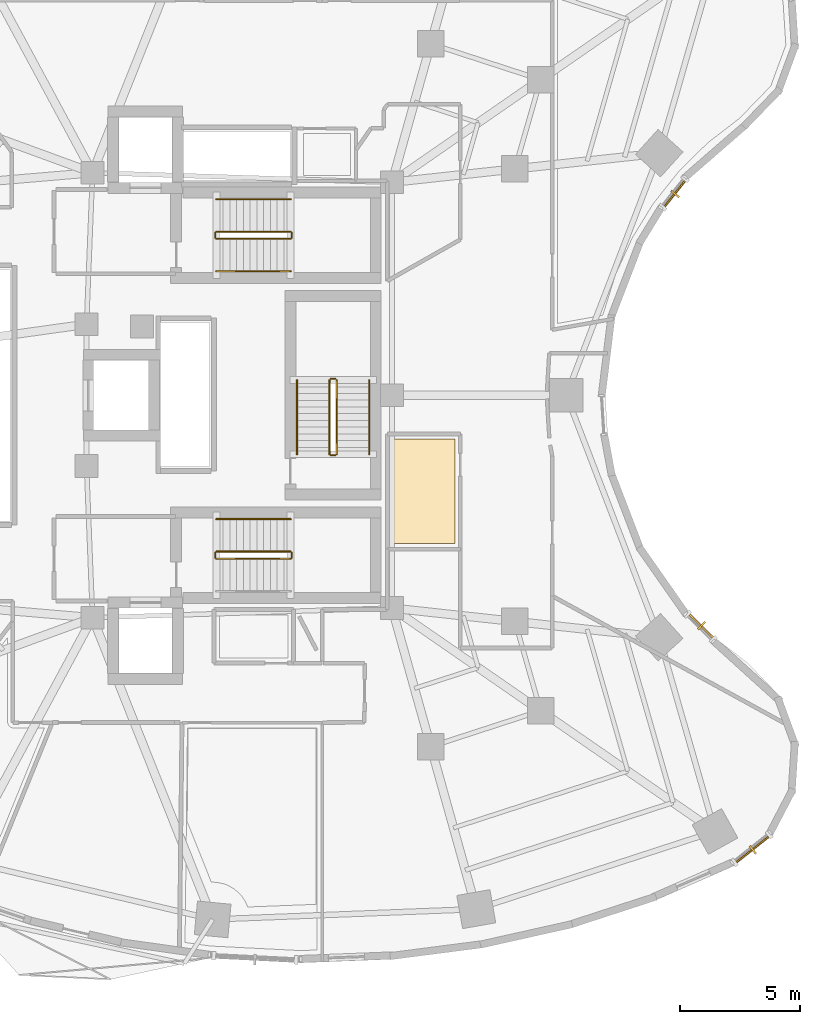
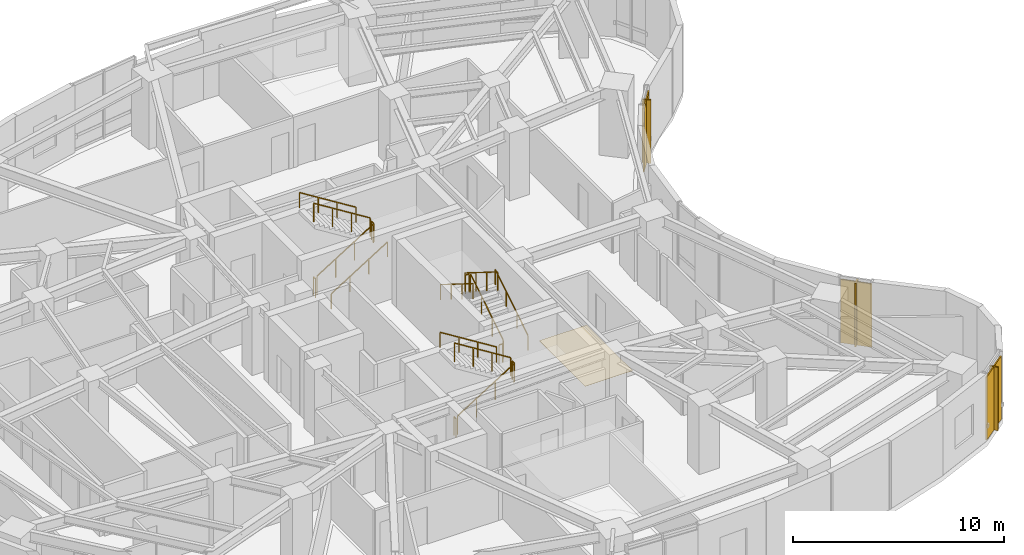
# One storey, part 14 of 15: 17 railings, 6 shading devices, 1 covering.
"""IFC4 building model written with IfcOpenShell, lengths in metres."""

from ifc_helpers import new_model, si_unit, direction, frame, origin, origin_2d, place, context, subcontext, project, spatial, polyline, rectangle, outline, extrude, material, layer, layer_set, type_object, element, save


model = new_model("IFC4")

# Units and contexts
model_context = context("Model", 3, precision=1e-05, world=origin(), true_north=direction((0.0, 1.0)))
body_context = subcontext(model_context, "Body", "Model", "MODEL_VIEW")
ifc_project = project(units=[si_unit("LENGTHUNIT", "METRE"), si_unit("AREAUNIT", "SQUARE_METRE"), si_unit("VOLUMEUNIT", "CUBIC_METRE"), si_unit("PLANEANGLEUNIT", "RADIAN"), si_unit("MASSUNIT", "GRAM", prefix="KILO")], contexts=[model_context])

# Site, building, storey
site_placement = place(None, origin())
site = spatial("IfcSite", under=ifc_project, at=site_placement, CompositionType="ELEMENT")
building_placement = place(site_placement, origin())
building = spatial("IfcBuilding", under=site, at=building_placement, Name="Korentha Bioscience Tower", CompositionType="ELEMENT")
storey_placement = place(building_placement, frame((0.0, 0.0, 38.39990234375)))
storey = spatial("IfcBuildingStorey", under=building, at=storey_placement, Name="L08", CompositionType="ELEMENT", Elevation=38.39990234375)

# Railings
ifc_material_1 = material(Name="Stainless Steel 304", Category="steel")
railing_type_1 = type_object("IfcRailingType", Name="Brushed Stainless Stair Handrail 900", PredefinedType="HANDRAIL", material=ifc_material_1)
railing_1_placement = place(storey_placement, frame((30.25, 32.14990234375, 0.175048828125)))
element("IfcRailing", 1, at=railing_1_placement, inside=storey, type_object=railing_type_1, Name="L08 ST-1 stair handrail 1", PredefinedType="HANDRAIL", context=body_context, shape_type="SweptSolid", body=[
    extrude(rectangle(XDim=0.048095703125, YDim=0.048095703125, at=origin_2d()), frame((0.0, 0.0, 0.8759765625), z_axis=(0.847998304005, 0.0, 0.529998940003), x_axis=(0.0, 1.0, 0.0)), (0.0, 0.0, 1.0), 3.632080078125),
    extrude(rectangle(XDim=0.0419921875, YDim=0.0419921875, at=origin_2d()), origin(), (0.0, 0.0, 1.0), 0.851806640625),
    extrude(rectangle(XDim=0.0419921875, YDim=0.0419921875, at=origin_2d()), frame((1.026611328125, 0.0, 0.6416015625)), (0.0, 0.0, 1.0), 0.851806640625),
    extrude(rectangle(XDim=0.0419921875, YDim=0.0419921875, at=origin_2d()), frame((2.053466796875, 0.0, 1.283447265625)), (0.0, 0.0, 1.0), 0.851806640625),
    extrude(rectangle(XDim=0.0419921875, YDim=0.0419921875, at=origin_2d()), frame((3.080078125, 0.0, 1.925048828125)), (0.0, 0.0, 1.0), 0.851806640625),
])
for number, where, name in (
    (2, (33.330078125, 35.14990234375, 2.275146484375), "L08 ST-1 stair handrail 2"),
    (3, (33.330078125, 21.85009765625, 2.275146484375), "L08 ST-2 stair handrail 2"),
):
    element("IfcRailing", number, at=place(storey_placement, frame(where)), inside=storey, type_object=railing_type_1, Name=name, PredefinedType="HANDRAIL", context=body_context, shape_type="SweptSolid", body=[
        extrude(rectangle(XDim=0.048095703125, YDim=0.048095703125, at=origin_2d()), frame((0.0, 0.0, 0.8759765625), z_axis=(-0.847998304005, 0.0, 0.529998940003), x_axis=(0.0, -1.0, 0.0)), (0.0, 0.0, 1.0), 3.632080078125),
        extrude(rectangle(XDim=0.0419921875, YDim=0.0419921875, at=origin_2d()), origin(), (0.0, 0.0, 1.0), 0.851806640625),
        extrude(rectangle(XDim=0.0419921875, YDim=0.0419921875, at=origin_2d()), frame((-1.026611328125, 0.0, 0.6416015625)), (0.0, 0.0, 1.0), 0.851806640625),
        extrude(rectangle(XDim=0.0419921875, YDim=0.0419921875, at=origin_2d()), frame((-2.053466796875, 0.0, 1.283447265625)), (0.0, 0.0, 1.0), 0.851806640625),
        extrude(rectangle(XDim=0.0419921875, YDim=0.0419921875, at=origin_2d()), frame((-3.080078125, 0.0, 1.925048828125)), (0.0, 0.0, 1.0), 0.851806640625),
    ])
railing_2_placement = place(storey_placement, frame((36.60009765625, 24.550048828125, 0.175048828125)))
element("IfcRailing", 4, at=railing_2_placement, inside=storey, type_object=railing_type_1, Name="L08 ST-3 stair handrail 1", PredefinedType="HANDRAIL", context=body_context, shape_type="SweptSolid", body=[
    extrude(rectangle(XDim=0.048095703125, YDim=0.048095703125, at=origin_2d()), frame((0.0, 0.0, 0.8759765625), z_axis=(0.0, 0.847979421464, 0.530029150871), x_axis=(-1.0, 0.0, 0.0)), (0.0, 0.0, 1.0), 3.632080078125),
    extrude(rectangle(XDim=0.0419921875, YDim=0.0419921875, at=origin_2d()), origin(), (0.0, 0.0, 1.0), 0.851806640625),
    extrude(rectangle(XDim=0.0419921875, YDim=0.0419921875, at=origin_2d()), frame((0.0, 1.026611328125, 0.6416015625)), (0.0, 0.0, 1.0), 0.851806640625),
    extrude(rectangle(XDim=0.0419921875, YDim=0.0419921875, at=origin_2d()), frame((0.0, 2.05322265625, 1.283447265625)), (0.0, 0.0, 1.0), 0.851806640625),
    extrude(rectangle(XDim=0.0419921875, YDim=0.0419921875, at=origin_2d()), frame((0.0, 3.079833984375, 1.925048828125)), (0.0, 0.0, 1.0), 0.851806640625),
])
railing_3_placement = place(storey_placement, frame((33.60009765625, 27.6298828125, 2.275146484375)))
element("IfcRailing", 5, at=railing_3_placement, inside=storey, type_object=railing_type_1, Name="L08 ST-3 stair handrail 2", PredefinedType="HANDRAIL", context=body_context, shape_type="SweptSolid", body=[
    extrude(rectangle(XDim=0.048095703125, YDim=0.048095703125, at=origin_2d()), frame((0.0, 0.0, 0.8759765625), z_axis=(0.0, -0.847979421464, 0.530029150871), x_axis=(1.0, 0.0, 0.0)), (0.0, 0.0, 1.0), 3.632080078125),
    extrude(rectangle(XDim=0.0419921875, YDim=0.0419921875, at=origin_2d()), origin(), (0.0, 0.0, 1.0), 0.851806640625),
    extrude(rectangle(XDim=0.0419921875, YDim=0.0419921875, at=origin_2d()), frame((0.0, -1.026611328125, 0.6416015625)), (0.0, 0.0, 1.0), 0.851806640625),
    extrude(rectangle(XDim=0.0419921875, YDim=0.0419921875, at=origin_2d()), frame((0.0, -2.05322265625, 1.283447265625)), (0.0, 0.0, 1.0), 0.851806640625),
    extrude(rectangle(XDim=0.0419921875, YDim=0.0419921875, at=origin_2d()), frame((0.0, -3.079833984375, 1.925048828125)), (0.0, 0.0, 1.0), 0.851806640625),
])
ifc_material_2 = material(Name="Painted Steel S275", Category="steel")
railing_type_2 = type_object("IfcRailingType", Name="Painted Steel Stair Well Guardrail 1100", PredefinedType="GUARDRAIL", material=ifc_material_2)
railing_4_placement = place(storey_placement, frame((30.25, 33.5, 0.175048828125)))
element("IfcRailing", 6, at=railing_4_placement, inside=storey, type_object=railing_type_2, Name="L08 ST-1 stair guard 1", PredefinedType="GUARDRAIL", context=body_context, shape_type="SweptSolid", body=[
    extrude(rectangle(XDim=0.048095703125, YDim=0.048095703125, at=origin_2d()), frame((0.0, 0.0, 1.076171875), z_axis=(0.847998304005, 0.0, 0.529998940003), x_axis=(0.0, 1.0, 0.0)), (0.0, 0.0, 1.0), 3.632080078125),
    extrude(rectangle(XDim=0.0419921875, YDim=0.0419921875, at=origin_2d()), origin(), (0.0, 0.0, 1.0), 1.052001953125),
    extrude(rectangle(XDim=0.0419921875, YDim=0.0419921875, at=origin_2d()), frame((1.026611328125, 0.0, 0.6416015625)), (0.0, 0.0, 1.0), 1.052001953125),
    extrude(rectangle(XDim=0.0419921875, YDim=0.0419921875, at=origin_2d()), frame((2.053466796875, 0.0, 1.283447265625)), (0.0, 0.0, 1.0), 1.052001953125),
    extrude(rectangle(XDim=0.0419921875, YDim=0.0419921875, at=origin_2d()), frame((3.080078125, 0.0, 1.925048828125)), (0.0, 0.0, 1.0), 1.052001953125),
])
railing_5_placement = place(storey_placement, frame((33.3798828125, 33.550048828125, 2.10009765625)))
element("IfcRailing", 7, at=railing_5_placement, inside=storey, type_object=railing_type_2, Name="L08 ST-1 stair guard 2", PredefinedType="GUARDRAIL", context=body_context, shape_type="SweptSolid", body=[
    extrude(rectangle(XDim=0.048095703125, YDim=0.048095703125, at=origin_2d()), frame((0.0, 0.0, 1.076171875), z_axis=(0.0, 1.0, 0.0), x_axis=(-1.0, 0.0, 0.0)), (0.0, 0.0, 1.0), 0.199951171875),
    extrude(rectangle(XDim=0.0419921875, YDim=0.0419921875, at=origin_2d()), origin(), (0.0, 0.0, 1.0), 1.052001953125),
    extrude(rectangle(XDim=0.0419921875, YDim=0.0419921875, at=origin_2d()), frame((0.0, 0.199951171875, 0.0)), (0.0, 0.0, 1.0), 1.052001953125),
])
railing_6_placement = place(storey_placement, frame((33.330078125, 33.800048828125, 2.275146484375)))
element("IfcRailing", 8, at=railing_6_placement, inside=storey, type_object=railing_type_2, Name="L08 ST-1 stair guard 3", PredefinedType="GUARDRAIL", context=body_context, shape_type="SweptSolid", body=[
    extrude(rectangle(XDim=0.048095703125, YDim=0.048095703125, at=origin_2d()), frame((0.0, 0.0, 1.076171875), z_axis=(-0.847998304005, 0.0, 0.529998940003), x_axis=(0.0, -1.0, 0.0)), (0.0, 0.0, 1.0), 3.632080078125),
    extrude(rectangle(XDim=0.0419921875, YDim=0.0419921875, at=origin_2d()), origin(), (0.0, 0.0, 1.0), 1.052001953125),
    extrude(rectangle(XDim=0.0419921875, YDim=0.0419921875, at=origin_2d()), frame((-1.026611328125, 0.0, 0.6416015625)), (0.0, 0.0, 1.0), 1.052001953125),
    extrude(rectangle(XDim=0.0419921875, YDim=0.0419921875, at=origin_2d()), frame((-2.053466796875, 0.0, 1.283447265625)), (0.0, 0.0, 1.0), 1.052001953125),
    extrude(rectangle(XDim=0.0419921875, YDim=0.0419921875, at=origin_2d()), frame((-3.080078125, 0.0, 1.925048828125)), (0.0, 0.0, 1.0), 1.052001953125),
])
railing_7_placement = place(storey_placement, frame((30.199951171875, 33.550048828125, 0.0)))
element("IfcRailing", 9, at=railing_7_placement, inside=storey, type_object=railing_type_2, Name="L08 ST-1 stair guard 4", PredefinedType="GUARDRAIL", context=body_context, shape_type="SweptSolid", body=[
    extrude(rectangle(XDim=0.048095703125, YDim=0.048095703125, at=origin_2d()), frame((0.0, 0.0, 1.076171875), z_axis=(0.0, 1.0, 0.0), x_axis=(-1.0, 0.0, 0.0)), (0.0, 0.0, 1.0), 0.199951171875),
    extrude(rectangle(XDim=0.0419921875, YDim=0.0419921875, at=origin_2d()), origin(), (0.0, 0.0, 1.0), 1.052001953125),
    extrude(rectangle(XDim=0.0419921875, YDim=0.0419921875, at=origin_2d()), frame((0.0, 0.199951171875, 0.0)), (0.0, 0.0, 1.0), 1.052001953125),
])
railing_8_placement = place(storey_placement, frame((30.25, 20.199951171875, 0.175048828125)))
element("IfcRailing", 10, at=railing_8_placement, inside=storey, type_object=railing_type_2, Name="L08 ST-2 stair guard 1", PredefinedType="GUARDRAIL", context=body_context, shape_type="SweptSolid", body=[
    extrude(rectangle(XDim=0.048095703125, YDim=0.048095703125, at=origin_2d()), frame((0.0, 0.0, 1.076171875), z_axis=(0.847998304005, 0.0, 0.529998940003), x_axis=(0.0, 1.0, 0.0)), (0.0, 0.0, 1.0), 3.632080078125),
    extrude(rectangle(XDim=0.0419921875, YDim=0.0419921875, at=origin_2d()), origin(), (0.0, 0.0, 1.0), 1.052001953125),
    extrude(rectangle(XDim=0.0419921875, YDim=0.0419921875, at=origin_2d()), frame((1.026611328125, 0.0, 0.6416015625)), (0.0, 0.0, 1.0), 1.052001953125),
    extrude(rectangle(XDim=0.0419921875, YDim=0.0419921875, at=origin_2d()), frame((2.053466796875, 0.0, 1.283447265625)), (0.0, 0.0, 1.0), 1.052001953125),
    extrude(rectangle(XDim=0.0419921875, YDim=0.0419921875, at=origin_2d()), frame((3.080078125, 0.0, 1.925048828125)), (0.0, 0.0, 1.0), 1.052001953125),
])
railing_9_placement = place(storey_placement, frame((33.3798828125, 20.25, 2.10009765625)))
element("IfcRailing", 11, at=railing_9_placement, inside=storey, type_object=railing_type_2, Name="L08 ST-2 stair guard 2", PredefinedType="GUARDRAIL", context=body_context, shape_type="SweptSolid", body=[
    extrude(rectangle(XDim=0.048095703125, YDim=0.048095703125, at=origin_2d()), frame((0.0, 0.0, 1.076171875), z_axis=(0.0, 1.0, 0.0), x_axis=(-1.0, 0.0, 0.0)), (0.0, 0.0, 1.0), 0.199951171875),
    extrude(rectangle(XDim=0.0419921875, YDim=0.0419921875, at=origin_2d()), origin(), (0.0, 0.0, 1.0), 1.052001953125),
    extrude(rectangle(XDim=0.0419921875, YDim=0.0419921875, at=origin_2d()), frame((0.0, 0.199951171875, 0.0)), (0.0, 0.0, 1.0), 1.052001953125),
])
railing_10_placement = place(storey_placement, frame((33.330078125, 20.5, 2.275146484375)))
element("IfcRailing", 12, at=railing_10_placement, inside=storey, type_object=railing_type_2, Name="L08 ST-2 stair guard 3", PredefinedType="GUARDRAIL", context=body_context, shape_type="SweptSolid", body=[
    extrude(rectangle(XDim=0.048095703125, YDim=0.048095703125, at=origin_2d()), frame((0.0, 0.0, 1.076171875), z_axis=(-0.847998304005, 0.0, 0.529998940003), x_axis=(0.0, -1.0, 0.0)), (0.0, 0.0, 1.0), 3.632080078125),
    extrude(rectangle(XDim=0.0419921875, YDim=0.0419921875, at=origin_2d()), origin(), (0.0, 0.0, 1.0), 1.052001953125),
    extrude(rectangle(XDim=0.0419921875, YDim=0.0419921875, at=origin_2d()), frame((-1.026611328125, 0.0, 0.6416015625)), (0.0, 0.0, 1.0), 1.052001953125),
    extrude(rectangle(XDim=0.0419921875, YDim=0.0419921875, at=origin_2d()), frame((-2.053466796875, 0.0, 1.283447265625)), (0.0, 0.0, 1.0), 1.052001953125),
    extrude(rectangle(XDim=0.0419921875, YDim=0.0419921875, at=origin_2d()), frame((-3.080078125, 0.0, 1.925048828125)), (0.0, 0.0, 1.0), 1.052001953125),
])
railing_11_placement = place(storey_placement, frame((30.199951171875, 20.25, 0.0)))
element("IfcRailing", 13, at=railing_11_placement, inside=storey, type_object=railing_type_2, Name="L08 ST-2 stair guard 4", PredefinedType="GUARDRAIL", context=body_context, shape_type="SweptSolid", body=[
    extrude(rectangle(XDim=0.048095703125, YDim=0.048095703125, at=origin_2d()), frame((0.0, 0.0, 1.076171875), z_axis=(0.0, 1.0, 0.0), x_axis=(-1.0, 0.0, 0.0)), (0.0, 0.0, 1.0), 0.199951171875),
    extrude(rectangle(XDim=0.0419921875, YDim=0.0419921875, at=origin_2d()), origin(), (0.0, 0.0, 1.0), 1.052001953125),
    extrude(rectangle(XDim=0.0419921875, YDim=0.0419921875, at=origin_2d()), frame((0.0, 0.199951171875, 0.0)), (0.0, 0.0, 1.0), 1.052001953125),
])
railing_12_placement = place(storey_placement, frame((35.25, 24.550048828125, 0.175048828125)))
element("IfcRailing", 14, at=railing_12_placement, inside=storey, type_object=railing_type_2, Name="L08 ST-3 stair guard 1", PredefinedType="GUARDRAIL", context=body_context, shape_type="SweptSolid", body=[
    extrude(rectangle(XDim=0.048095703125, YDim=0.048095703125, at=origin_2d()), frame((0.0, 0.0, 1.076171875), z_axis=(0.0, 0.847979421464, 0.530029150871), x_axis=(-1.0, 0.0, 0.0)), (0.0, 0.0, 1.0), 3.632080078125),
    extrude(rectangle(XDim=0.0419921875, YDim=0.0419921875, at=origin_2d()), origin(), (0.0, 0.0, 1.0), 1.052001953125),
    extrude(rectangle(XDim=0.0419921875, YDim=0.0419921875, at=origin_2d()), frame((0.0, 1.026611328125, 0.6416015625)), (0.0, 0.0, 1.0), 1.052001953125),
    extrude(rectangle(XDim=0.0419921875, YDim=0.0419921875, at=origin_2d()), frame((0.0, 2.05322265625, 1.283447265625)), (0.0, 0.0, 1.0), 1.052001953125),
    extrude(rectangle(XDim=0.0419921875, YDim=0.0419921875, at=origin_2d()), frame((0.0, 3.079833984375, 1.925048828125)), (0.0, 0.0, 1.0), 1.052001953125),
])
railing_13_placement = place(storey_placement, frame((35.199951171875, 27.679931640625, 2.10009765625)))
element("IfcRailing", 15, at=railing_13_placement, inside=storey, type_object=railing_type_2, Name="L08 ST-3 stair guard 2", PredefinedType="GUARDRAIL", context=body_context, shape_type="SweptSolid", body=[
    extrude(rectangle(XDim=0.048095703125, YDim=0.048095703125, at=origin_2d()), frame((0.0, 0.0, 1.076171875), z_axis=(-1.0, 0.0, 0.0), x_axis=(0.0, -1.0, 0.0)), (0.0, 0.0, 1.0), 0.199951171875),
    extrude(rectangle(XDim=0.0419921875, YDim=0.0419921875, at=origin_2d()), origin(), (0.0, 0.0, 1.0), 1.052001953125),
    extrude(rectangle(XDim=0.0419921875, YDim=0.0419921875, at=origin_2d()), frame((-0.199951171875, 0.0, 0.0)), (0.0, 0.0, 1.0), 1.052001953125),
])
railing_14_placement = place(storey_placement, frame((34.949951171875, 27.6298828125, 2.275146484375)))
element("IfcRailing", 16, at=railing_14_placement, inside=storey, type_object=railing_type_2, Name="L08 ST-3 stair guard 3", PredefinedType="GUARDRAIL", context=body_context, shape_type="SweptSolid", body=[
    extrude(rectangle(XDim=0.048095703125, YDim=0.048095703125, at=origin_2d()), frame((0.0, 0.0, 1.076171875), z_axis=(0.0, -0.847979421464, 0.530029150871), x_axis=(1.0, 0.0, 0.0)), (0.0, 0.0, 1.0), 3.632080078125),
    extrude(rectangle(XDim=0.0419921875, YDim=0.0419921875, at=origin_2d()), origin(), (0.0, 0.0, 1.0), 1.052001953125),
    extrude(rectangle(XDim=0.0419921875, YDim=0.0419921875, at=origin_2d()), frame((0.0, -1.026611328125, 0.6416015625)), (0.0, 0.0, 1.0), 1.052001953125),
    extrude(rectangle(XDim=0.0419921875, YDim=0.0419921875, at=origin_2d()), frame((0.0, -2.05322265625, 1.283447265625)), (0.0, 0.0, 1.0), 1.052001953125),
    extrude(rectangle(XDim=0.0419921875, YDim=0.0419921875, at=origin_2d()), frame((0.0, -3.079833984375, 1.925048828125)), (0.0, 0.0, 1.0), 1.052001953125),
])
railing_15_placement = place(storey_placement, frame((35.199951171875, 24.5, 0.0)))
element("IfcRailing", 17, at=railing_15_placement, inside=storey, type_object=railing_type_2, Name="L08 ST-3 stair guard 4", PredefinedType="GUARDRAIL", context=body_context, shape_type="SweptSolid", body=[
    extrude(rectangle(XDim=0.048095703125, YDim=0.048095703125, at=origin_2d()), frame((0.0, 0.0, 1.076171875), z_axis=(-1.0, 0.0, 0.0), x_axis=(0.0, -1.0, 0.0)), (0.0, 0.0, 1.0), 0.199951171875),
    extrude(rectangle(XDim=0.0419921875, YDim=0.0419921875, at=origin_2d()), origin(), (0.0, 0.0, 1.0), 1.052001953125),
    extrude(rectangle(XDim=0.0419921875, YDim=0.0419921875, at=origin_2d()), frame((-0.199951171875, 0.0, 0.0)), (0.0, 0.0, 1.0), 1.052001953125),
])

# Shading devices
ifc_material_3 = material(Name="Perforated Stone-Ceramic Composite", Category="masonry")
ifc_layer_1 = layer(ifc_material_3, 0.06494140625, Name="Perforated Stone-Ceramic Composite")
ifc_layer_set_1 = layer_set([ifc_layer_1], Name="Perforated Stone-Ceramic Composite (CS-01)")
shading_device_type_1 = type_object("IfcShadingDeviceType", Name="Perforated Stone-Ceramic Solar Screen Panel 65", PredefinedType="USERDEFINED", material=ifc_layer_set_1)
shading_device_placement = place(storey_placement, frame((52.5380859375, 8.11328125, 0.000244140625), z_axis=(0.0, 0.0, 1.0), x_axis=(0.782287851332, 0.62291710336, 0.0)))
element("IfcShadingDevice", 18, at=shading_device_placement, inside=storey, type_object=shading_device_type_1, Name="CW-L08-37 Perforated Stone-Ceramic Solar Screen", ObjectType="SCREEN", PredefinedType="USERDEFINED", context=body_context, shape_type="SweptSolid", body=[
    extrude(rectangle(XDim=1.927734375, YDim=0.06494140625, at=origin_2d()), origin(), (0.0, 0.0, 1.0), 3.64990234375),
])
for number, where, z_axis, x_axis, name in (
    (19, (50.4033203125, 17.406982421875, 0.000244140625), (0.0, 0.0, 1.0), (-0.713279246754, 0.700879958445, 0.0), "CW-L08-43 Perforated Stone-Ceramic Solar Screen"),
    (20, (49.3046875, 35.37255859375, 0.000244140625), (0.0, 0.0, 1.0), (0.622520324648, 0.782603632371, 0.0), "CW-L08-55 Perforated Stone-Ceramic Solar Screen"),
):
    element("IfcShadingDevice", number, at=place(storey_placement, frame(where, z_axis=z_axis, x_axis=x_axis)), inside=storey, type_object=shading_device_type_1, Name=name, ObjectType="SCREEN", PredefinedType="USERDEFINED", context=body_context, shape_type="SweptSolid", body=[
        extrude(rectangle(XDim=1.537841796875, YDim=0.06494140625, at=origin_2d()), origin(), (0.0, 0.0, 1.0), 3.64990234375),
    ])

# Covering
ifc_material_4 = material(Name="Chemical-Resistant Epoxy Resin", Category="polymer")
ifc_layer_2 = layer(ifc_material_4, 0.011962890625, Name="Chemical-Resistant Epoxy Resin")
ifc_layer_set_2 = layer_set([ifc_layer_2], Name="Chemical-Resistant Epoxy Resin (FL-EPX)")
covering_type = type_object("IfcCoveringType", Name="Seamless Epoxy Laboratory Flooring 12", PredefinedType="FLOORING", material=ifc_layer_set_2)
covering_placement = place(storey_placement, origin())
element("IfcCovering", 21, at=covering_placement, inside=storey, type_object=covering_type, Name="L08 Cryogenic Dewar Supply Store 07 Floor Finish", PredefinedType="FLOORING", context=body_context, shape_type="SweptSolid", body=[
    extrude(outline(polyline([(37.580078125, 25.169921875), (40.169921875, 25.169921875), (40.169921875, 20.827880859375), (37.580078125, 20.827880859375), (37.580078125, 25.169921875)])), origin(), (0.0, 0.0, 1.0), 0.01220703125),
])

# Shading devices
ifc_material_5 = material(Name="Honed Travertine Limestone", Category="masonry")
ifc_layer_3 = layer(ifc_material_5, 0.080078125, Name="Honed Travertine Limestone")
ifc_layer_set_3 = layer_set([ifc_layer_3], Name="Honed Travertine Limestone (CS-02)")
shading_device_type_2 = type_object("IfcShadingDeviceType", Name="Vertical Honed Limestone Sunshade Fin 80x420", PredefinedType="USERDEFINED", material=ifc_layer_set_3)
for number, where, z_axis, x_axis, name in (
    (22, (52.550537109375, 8.09765625, 0.000244140625), (0.0, 0.0, 1.0), (0.782287851332, 0.62291710336, 0.0), "CW-L08-37 Limestone Sunshade Fin"),
    (23, (50.41748046875, 17.42138671875, 0.000244140625), (0.0, 0.0, 1.0), (-0.713279246754, 0.700879958445, 0.0), "CW-L08-43 Limestone Sunshade Fin"),
    (24, (49.3203125, 35.360107421875, 0.000244140625), (0.0, 0.0, 1.0), (0.622520324648, 0.782603632371, 0.0), "CW-L08-55 Limestone Sunshade Fin"),
):
    element("IfcShadingDevice", number, at=place(storey_placement, frame(where, z_axis=z_axis, x_axis=x_axis)), inside=storey, type_object=shading_device_type_2, Name=name, ObjectType="SCREEN", PredefinedType="USERDEFINED", context=body_context, shape_type="SweptSolid", body=[
        extrude(rectangle(XDim=0.080078125, YDim=0.419921875, at=origin_2d()), origin(), (0.0, 0.0, 1.0), 3.64990234375),
    ])

save(model, "model.ifc")
